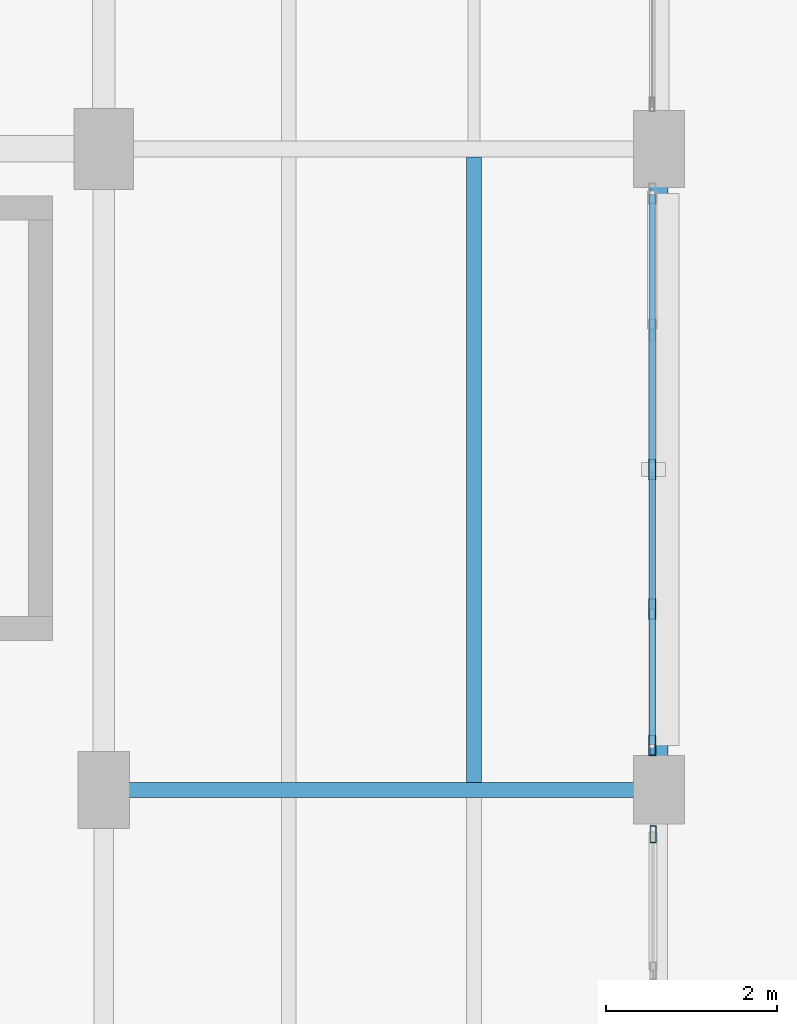
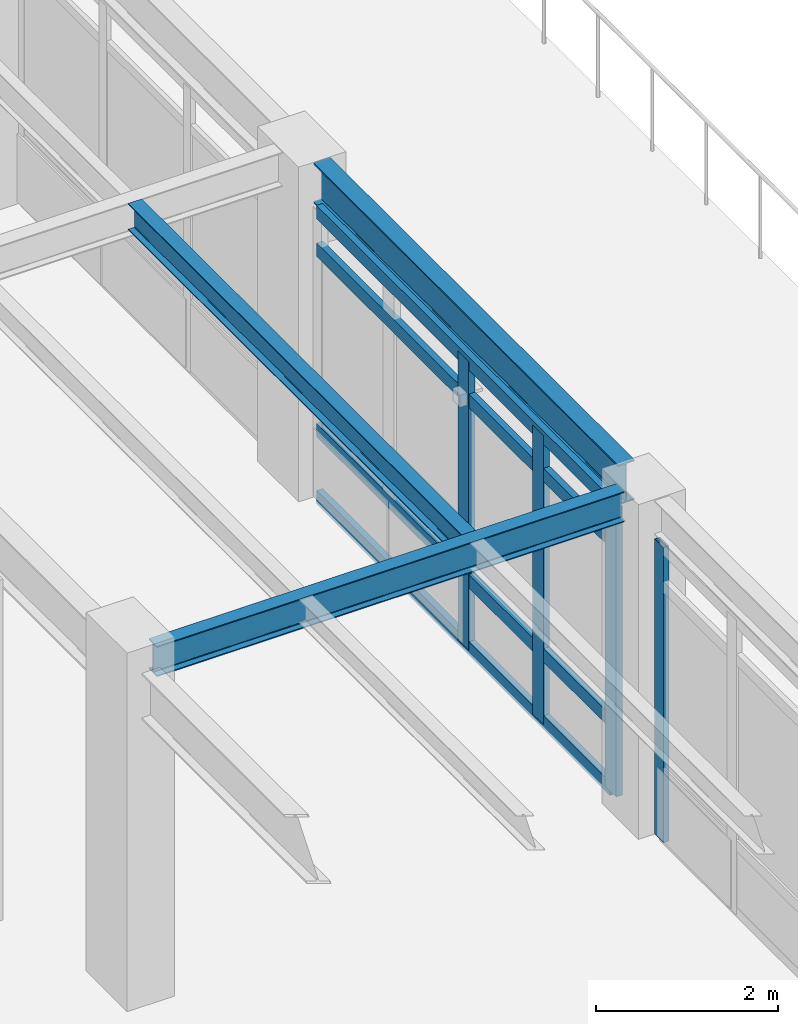
# One storey, part 125 of 200: 8 members, 3 beams, 2 elements without a shape of their own.
"""IFC4 building model written with IfcOpenShell, lengths in metres."""

from ifc_helpers import new_model, si_unit, direction, frame, origin, origin_2d, place, context, subcontext, project, spatial, hollow_rectangle, i_section, extrude, material, material_profile, profile_set, type_object, element, aggregate, save


model = new_model("IFC4")

# Units and contexts
model_context = context("Model", 3, precision=1e-05, world=origin(), true_north=direction((0.0, 1.0)))
body_context = subcontext(model_context, "Body", "Model", "MODEL_VIEW")
ifc_project = project(units=[si_unit("LENGTHUNIT", "METRE"), si_unit("AREAUNIT", "SQUARE_METRE"), si_unit("VOLUMEUNIT", "CUBIC_METRE"), si_unit("PLANEANGLEUNIT", "RADIAN"), si_unit("MASSUNIT", "GRAM", prefix="KILO"), si_unit("THERMODYNAMICTEMPERATUREUNIT", "KELVIN"), si_unit("POWERUNIT", "WATT")], contexts=[model_context])

# Site, building, storey
site_placement = place(None, origin())
site = spatial("IfcSite", under=ifc_project, at=site_placement, CompositionType="ELEMENT")
building_placement = place(site_placement, origin())
building = spatial("IfcBuilding", under=site, at=building_placement, Name="Tepalcoro Natatorium and Aquatics Centre", CompositionType="ELEMENT")
storey_placement = place(building_placement, frame((0.0, 0.0, 5.39990234375)))
storey = spatial("IfcBuildingStorey", under=building, at=storey_placement, Name="L01", CompositionType="ELEMENT", Elevation=5.39990234375)

# Beam
ifc_material_1 = material(Name="Steel ASTM A992 Grade 50 (Fy 345 MPa)", Category="steel")
ifc_material_profile_1 = material_profile(ifc_material_1, i_section(OverallWidth=0.177978515625, OverallDepth=0.406005859375, WebThickness=0.008056640625, FlangeThickness=0.012939453125, FilletRadius=0.013916015625, at=origin_2d()), Name="W16X40")
ifc_profile_set_1 = profile_set([ifc_material_profile_1], Name="Steel ASTM A992 Grade 50 (Fy 345 MPa)")
beam_type_1 = type_object("IfcBeamType", Name="BM_W16x40", PredefinedType="BEAM", material=ifc_profile_set_1)
beam_1_placement = place(storey_placement, frame((125.284912109375, 51.5, 4.26220703125), z_axis=(1.0, 0.0, 0.0), x_axis=(0.0, 1.0, 0.0)))
element("IfcBeam", 1, at=beam_1_placement, inside=storey, type_object=beam_type_1, Name="V1 L01 Grid Girder X", PredefinedType="BEAM", context=body_context, shape_type="SweptSolid", body=[
    extrude(i_section(OverallWidth=0.177978515625, OverallDepth=0.406005859375, WebThickness=0.008056640625, FlangeThickness=0.012939453125, FilletRadius=0.013916015625, at=origin_2d()), origin(), (0.0, 0.0, 1.0), 5.93017578125),
])

# Curtain wall, member
ifc_material_2 = material(Name="Bronze-Anodised Extruded Aluminium Alloy EN AW-6063 T6", Category="aluminium")
curtain_wall_type_1 = type_object("IfcCurtainWallType", Name="CW_V3_FOYER", PredefinedType="USERDEFINED", material=ifc_material_2)
curtain_wall_1_placement = place(storey_placement, origin())
curtain_wall_1 = element("IfcCurtainWall", 2, at=curtain_wall_1_placement, inside=storey, type_object=curtain_wall_type_1, Name="V1 L01 E Unitised Curtain Wall Bay 6", ObjectType="UNITISED STOREFRONT", PredefinedType="USERDEFINED")
ifc_material_profile_2 = material_profile(ifc_material_2, hollow_rectangle(XDim=0.070068359375, YDim=0.199951171875, WallThickness=0.0048828125, at=origin_2d()), Name="AL70X200X5")
ifc_profile_set_2 = profile_set([ifc_material_profile_2], Name="Bronze-Anodised Extruded Aluminium Alloy EN AW-6063 T6")
member_type_1 = type_object("IfcMemberType", Name="CW_MUL_70x200", PredefinedType="MULLION", material=ifc_profile_set_2)
member_1_placement = place(storey_placement, frame((131.4287109375, 50.97998046875, 0.02001953125), z_axis=(0.0, 0.0, 1.0), x_axis=(1.0, 0.0, 0.0)))
member_1 = element("IfcMember", 3, at=member_1_placement, type_object=member_type_1, Name="CW_V3_FOYER Curtain Wall Mullion", PredefinedType="MULLION", context=body_context, shape_type="SweptSolid", body=[
    extrude(hollow_rectangle(XDim=0.070068359375, YDim=0.199951171875, WallThickness=0.0048828125, at=origin_2d()), origin(), (0.0, 0.0, 1.0), 3.9501953125),
])
aggregate(curtain_wall_1, [member_1])

# Curtain wall, members
curtain_wall_type_2 = type_object("IfcCurtainWallType", Name="CW_V4_VILLAGE", PredefinedType="USERDEFINED", material=ifc_material_2)
curtain_wall_2_placement = place(storey_placement, origin())
curtain_wall_2 = element("IfcCurtainWall", 4, at=curtain_wall_2_placement, inside=storey, type_object=curtain_wall_type_2, Name="V1 L01 E Unitised Curtain Wall Bay 7", ObjectType="UNITISED STOREFRONT", PredefinedType="USERDEFINED")
ifc_material_profile_3 = material_profile(ifc_material_2, hollow_rectangle(XDim=0.080078125, YDim=0.239990234375, WallThickness=0.0048828125, at=origin_2d()), Name="AL80X240X5")
ifc_profile_set_3 = profile_set([ifc_material_profile_3], Name="Bronze-Anodised Extruded Aluminium Alloy EN AW-6063 T6")
member_type_2 = type_object("IfcMemberType", Name="CW_MUL_80x240", PredefinedType="MULLION", material=ifc_profile_set_3)
member_2_placement = place(storey_placement, frame((131.419921875, 52.02001953125, 0.02001953125), z_axis=(0.0, 0.0, 1.0), x_axis=(1.0, 0.0, 0.0)))
member_2 = element("IfcMember", 5, at=member_2_placement, type_object=member_type_2, Name="CW_V4_VILLAGE Curtain Wall Mullion", PredefinedType="MULLION", context=body_context, shape_type="SweptSolid", body=[
    extrude(hollow_rectangle(XDim=0.080078125, YDim=0.239990234375, WallThickness=0.0048828125, at=origin_2d()), origin(), (0.0, 0.0, 1.0), 3.8740234375),
])
member_3_placement = place(storey_placement, frame((131.419921875, 53.614990234375, 0.02001953125), z_axis=(0.0, 0.0, 1.0), x_axis=(1.0, 0.0, 0.0)))
member_3 = element("IfcMember", 6, at=member_3_placement, type_object=member_type_2, Name="CW_V4_VILLAGE Curtain Wall Mullion", PredefinedType="MULLION", context=body_context, shape_type="SweptSolid", body=[
    extrude(hollow_rectangle(XDim=0.080078125, YDim=0.239990234375, WallThickness=0.0048828125, at=origin_2d()), origin(), (0.0, 0.0, 1.0), 3.8740234375),
])
member_4_placement = place(storey_placement, frame((131.419921875, 55.25, 0.02001953125), z_axis=(0.0, 0.0, 1.0), x_axis=(1.0, 0.0, 0.0)))
member_4 = element("IfcMember", 7, at=member_4_placement, type_object=member_type_2, Name="CW_V4_VILLAGE Curtain Wall Mullion", PredefinedType="MULLION", context=body_context, shape_type="SweptSolid", body=[
    extrude(hollow_rectangle(XDim=0.080078125, YDim=0.239990234375, WallThickness=0.0048828125, at=origin_2d()), origin(), (0.0, 0.0, 1.0), 3.8740234375),
])
ifc_material_profile_4 = material_profile(ifc_material_2, hollow_rectangle(XDim=0.080078125, YDim=0.179931640625, WallThickness=0.0048828125, at=origin_2d()), Name="AL80X180X5")
ifc_profile_set_4 = profile_set([ifc_material_profile_4], Name="Bronze-Anodised Extruded Aluminium Alloy EN AW-6063 T6")
member_type_3 = type_object("IfcMemberType", Name="CW_TRN_80x180", PredefinedType="USERDEFINED", material=ifc_profile_set_4)
member_5_placement = place(storey_placement, frame((131.419921875, 52.030029296875, 0.050048828125), z_axis=(0.0, 1.0, 0.0), x_axis=(-1.0, 0.0, 0.0)))
member_5 = element("IfcMember", 8, at=member_5_placement, type_object=member_type_3, Name="CW_V4_VILLAGE Curtain Wall Transom", ObjectType="TRANSOM", PredefinedType="USERDEFINED", context=body_context, shape_type="SweptSolid", body=[
    extrude(hollow_rectangle(XDim=0.080078125, YDim=0.179931640625, WallThickness=0.0048828125, at=origin_2d()), origin(), (0.0, 0.0, 1.0), 6.43994140625),
])
member_6_placement = place(storey_placement, frame((131.419921875, 52.030029296875, 0.9501953125), z_axis=(0.0, 1.0, 0.0), x_axis=(-1.0, 0.0, 0.0)))
member_6 = element("IfcMember", 9, at=member_6_placement, type_object=member_type_3, Name="CW_V4_VILLAGE Curtain Wall Transom", ObjectType="TRANSOM", PredefinedType="USERDEFINED", context=body_context, shape_type="SweptSolid", body=[
    extrude(hollow_rectangle(XDim=0.080078125, YDim=0.179931640625, WallThickness=0.0048828125, at=origin_2d()), origin(), (0.0, 0.0, 1.0), 6.43994140625),
])
member_7_placement = place(storey_placement, frame((131.419921875, 52.030029296875, 3.364013671875), z_axis=(0.0, 1.0, 0.0), x_axis=(-1.0, 0.0, 0.0)))
member_7 = element("IfcMember", 10, at=member_7_placement, type_object=member_type_3, Name="CW_V4_VILLAGE Curtain Wall Transom", ObjectType="TRANSOM", PredefinedType="USERDEFINED", context=body_context, shape_type="SweptSolid", body=[
    extrude(hollow_rectangle(XDim=0.080078125, YDim=0.179931640625, WallThickness=0.0048828125, at=origin_2d()), origin(), (0.0, 0.0, 1.0), 6.43994140625),
])
member_8_placement = place(storey_placement, frame((131.419921875, 52.030029296875, 3.864013671875), z_axis=(0.0, 1.0, 0.0), x_axis=(-1.0, 0.0, 0.0)))
member_8 = element("IfcMember", 11, at=member_8_placement, type_object=member_type_3, Name="CW_V4_VILLAGE Curtain Wall Transom", ObjectType="TRANSOM", PredefinedType="USERDEFINED", context=body_context, shape_type="SweptSolid", body=[
    extrude(hollow_rectangle(XDim=0.080078125, YDim=0.179931640625, WallThickness=0.0048828125, at=origin_2d()), origin(), (0.0, 0.0, 1.0), 6.43994140625),
])
aggregate(curtain_wall_2, [member_2, member_3, member_4, member_5, member_6, member_7, member_8])

# Beams
ifc_material_profile_5 = material_profile(ifc_material_1, i_section(OverallWidth=0.172119140625, OverallDepth=0.35791015625, WebThickness=0.008056640625, FlangeThickness=0.012939453125, FilletRadius=0.013916015625, at=origin_2d()), Name="W14X38")
ifc_profile_set_5 = profile_set([ifc_material_profile_5], Name="Steel ASTM A992 Grade 50 (Fy 345 MPa)")
beam_type_2 = type_object("IfcBeamType", Name="JS_W14x38", PredefinedType="JOIST", material=ifc_profile_set_5)
beam_2_placement = place(storey_placement, frame((129.333251953125, 51.589111328125, 4.2861328125), z_axis=(0.0, 1.0, 0.0), x_axis=(-1.0, 0.0, 0.0)))
element("IfcBeam", 12, at=beam_2_placement, inside=storey, type_object=beam_type_2, Name="V1 L01 Floor Joist", PredefinedType="JOIST", context=body_context, shape_type="SweptSolid", body=[
    extrude(i_section(OverallWidth=0.172119140625, OverallDepth=0.35791015625, WebThickness=0.008056640625, FlangeThickness=0.012939453125, FilletRadius=0.013916015625, at=origin_2d()), origin(), (0.0, 0.0, 1.0), 7.3154296875),
])
ifc_material_profile_6 = material_profile(ifc_material_1, i_section(OverallWidth=0.2099609375, OverallDepth=0.535888671875, WebThickness=0.010986328125, FlangeThickness=0.01708984375, FilletRadius=0.013916015625, at=origin_2d()), Name="W21X68")
ifc_profile_set_6 = profile_set([ifc_material_profile_6], Name="Steel ASTM A992 Grade 50 (Fy 345 MPa)")
beam_type_3 = type_object("IfcBeamType", Name="SP_W21x68", PredefinedType="SPANDREL", material=ifc_profile_set_6)
beam_3_placement = place(storey_placement, frame((131.5, 51.885009765625, 4.197021484375), z_axis=(0.0, 1.0, 0.0), x_axis=(-1.0, 0.0, 0.0)))
element("IfcBeam", 13, at=beam_3_placement, inside=storey, type_object=beam_type_3, Name="V1 L01 Grid Girder Y", PredefinedType="SPANDREL", context=body_context, shape_type="SweptSolid", body=[
    extrude(i_section(OverallWidth=0.2099609375, OverallDepth=0.535888671875, WebThickness=0.010986328125, FlangeThickness=0.01708984375, FilletRadius=0.013916015625, at=origin_2d()), origin(), (0.0, 0.0, 1.0), 6.679931640625),
])

save(model, "model.ifc")
